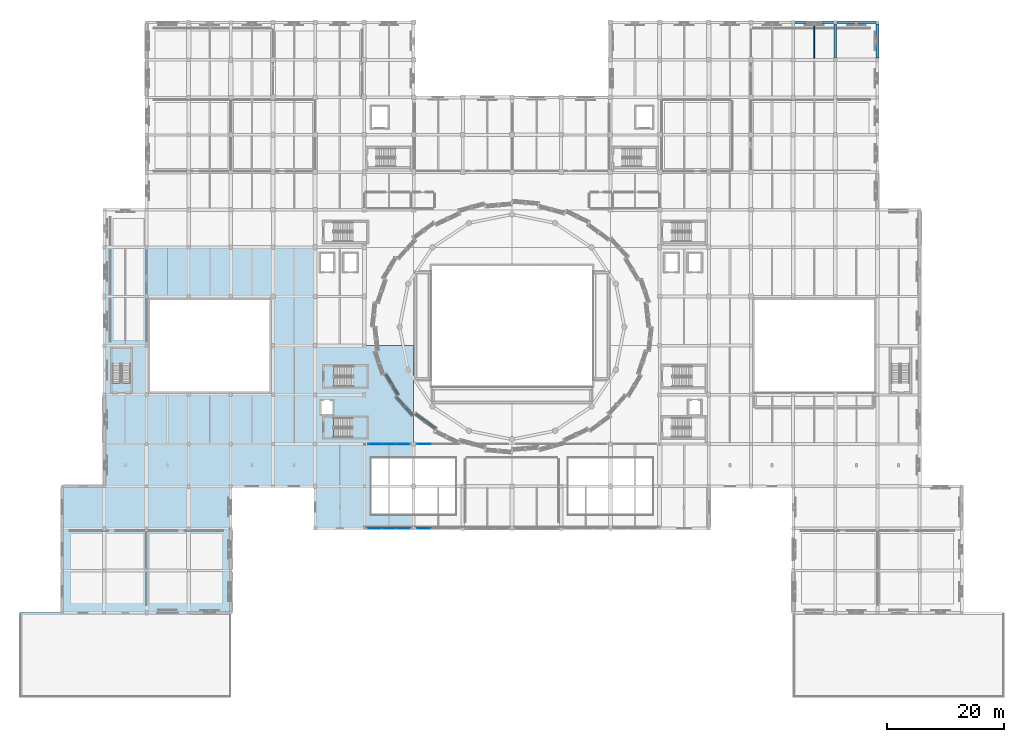
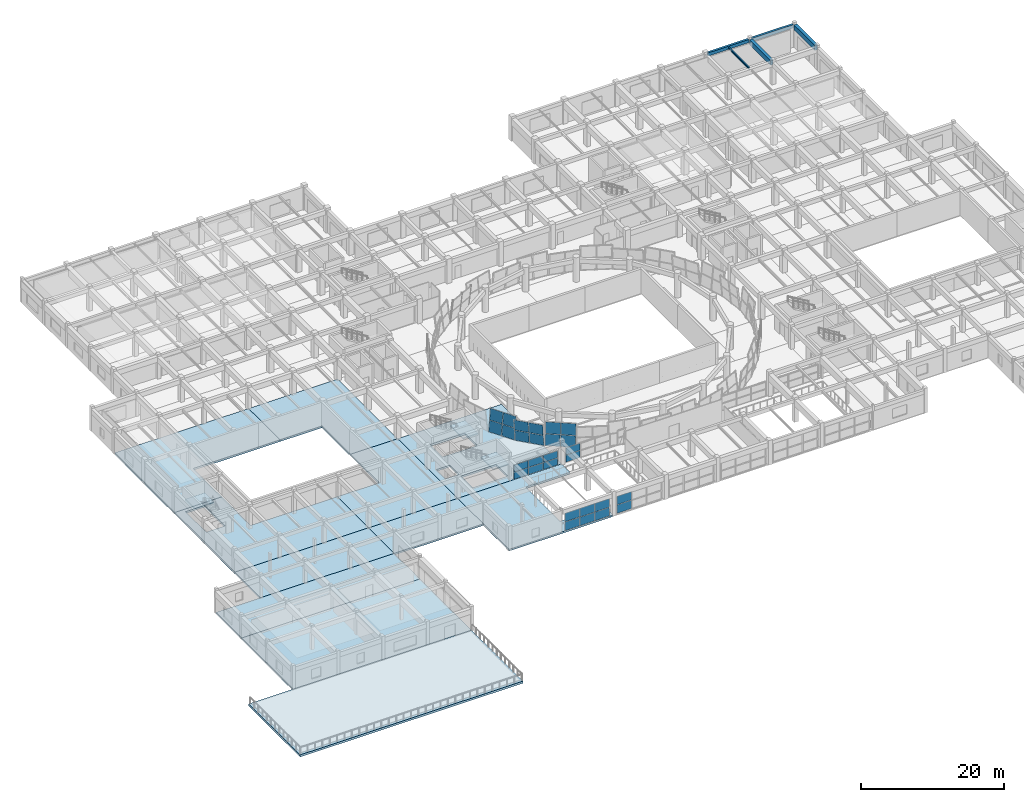
# One storey, part 40 of 71: 28 plates, 14 slabs, 5 beams, 10 elements without a shape of their own.
"""IFC4 building model written with IfcOpenShell, lengths in metres."""

from ifc_helpers import new_model, si_unit, direction, frame, origin, origin_2d, place, context, subcontext, project, spatial, polyline, rectangle, i_section, outline, extrude, material, layer, layer_set, material_profile, profile_set, type_object, element, aggregate, save


model = new_model("IFC4")

# Units and contexts
model_context = context("Model", 3, precision=1e-05, world=origin(), true_north=direction((0.0, 1.0)))
body_context = subcontext(model_context, "Body", "Model", "MODEL_VIEW")
ifc_project = project(units=[si_unit("LENGTHUNIT", "METRE"), si_unit("AREAUNIT", "SQUARE_METRE"), si_unit("VOLUMEUNIT", "CUBIC_METRE"), si_unit("PLANEANGLEUNIT", "RADIAN"), si_unit("MASSUNIT", "GRAM", prefix="KILO")], contexts=[model_context])

# Site, building, storey
site_placement = place(None, origin())
site = spatial("IfcSite", under=ifc_project, at=site_placement, CompositionType="ELEMENT")
building_placement = place(site_placement, origin())
building = spatial("IfcBuilding", under=site, at=building_placement, Name="Korsvaeld Concert Hall", CompositionType="ELEMENT")
storey_placement = place(building_placement, frame((0.0, 0.0, 4.800048828125)))
storey = spatial("IfcBuildingStorey", under=building, at=storey_placement, Name="L01", CompositionType="ELEMENT", Elevation=4.800048828125)

# Beams
ifc_material_1 = material(Name="Concrete C40/50", Category="concrete")
ifc_material_profile_1 = material_profile(ifc_material_1, rectangle(XDim=0.449951171875, YDim=0.85009765625, at=origin_2d()), Name="RC 450x850")
ifc_profile_set_1 = profile_set([ifc_material_profile_1], Name="Concrete C40/50")
beam_type_1 = type_object("IfcBeamType", Name="BM-RC-450x850", PredefinedType="T_BEAM", material=ifc_profile_set_1)
beam_1_placement = place(storey_placement, frame((139.199951171875, 109.10009765625, 3.4150390625), z_axis=(0.0, 1.0, 0.0), x_axis=(-1.0, 0.0, 0.0)))
element("IfcBeam", 1, at=beam_1_placement, inside=storey, type_object=beam_type_1, Name="Primary girder 19/R-S L01", PredefinedType="T_BEAM", context=body_context, shape_type="SweptSolid", body=[
    extrude(rectangle(XDim=0.449951171875, YDim=0.85009765625, at=origin_2d()), origin(), (0.0, 0.0, 1.0), 5.824951171875),
])
ifc_material_profile_2 = material_profile(ifc_material_1, rectangle(XDim=0.5, YDim=0.85009765625, at=origin_2d()), Name="RC 500x850")
ifc_profile_set_2 = profile_set([ifc_material_profile_2], Name="Concrete C40/50")
beam_type_2 = type_object("IfcBeamType", Name="BM-RC-500x850", PredefinedType="T_BEAM", material=ifc_profile_set_2)
beam_2_placement = place(storey_placement, frame((146.39990234375, 109.14990234375, 3.4150390625), z_axis=(0.0, 1.0, 0.0), x_axis=(-1.0, 0.0, 0.0)))
element("IfcBeam", 2, at=beam_2_placement, inside=storey, type_object=beam_type_2, Name="Primary girder 20/R-S L01", PredefinedType="T_BEAM", context=body_context, shape_type="SweptSolid", body=[
    extrude(rectangle(XDim=0.5, YDim=0.85009765625, at=origin_2d()), origin(), (0.0, 0.0, 1.0), 5.800048828125),
])
ifc_material_2 = material(Name="Concrete C35/45", Category="concrete")
ifc_material_profile_3 = material_profile(ifc_material_2, rectangle(XDim=0.35009765625, YDim=0.550048828125, at=origin_2d()), Name="RC 350x550")
ifc_profile_set_3 = profile_set([ifc_material_profile_3], Name="Concrete C35/45")
beam_type_3 = type_object("IfcBeamType", Name="BM-SP-350x550", PredefinedType="SPANDREL", material=ifc_profile_set_3)
beam_3_placement = place(storey_placement, frame((132.324951171875, 115.199951171875, 3.56494140625), z_axis=(1.0, 0.0, 0.0), x_axis=(0.0, 1.0, 0.0)))
element("IfcBeam", 3, at=beam_3_placement, inside=storey, type_object=beam_type_3, Name="Primary girder 18-19/S L01", PredefinedType="SPANDREL", context=body_context, shape_type="SweptSolid", body=[
    extrude(rectangle(XDim=0.35009765625, YDim=0.550048828125, at=origin_2d()), origin(), (0.0, 0.0, 1.0), 6.60009765625),
])
beam_4_placement = place(storey_placement, frame((139.47509765625, 115.199951171875, 3.56494140625), z_axis=(1.0, 0.0, 0.0), x_axis=(0.0, 1.0, 0.0)))
element("IfcBeam", 4, at=beam_4_placement, inside=storey, type_object=beam_type_3, Name="Primary girder 19-20/S L01", PredefinedType="SPANDREL", context=body_context, shape_type="SweptSolid", body=[
    extrude(rectangle(XDim=0.35009765625, YDim=0.550048828125, at=origin_2d()), origin(), (0.0, 0.0, 1.0), 6.6748046875),
])
ifc_material_3 = material(Name="Steel S355J2", Category="steel")
ifc_material_profile_4 = material_profile(ifc_material_3, i_section(OverallWidth=0.169921875, OverallDepth=0.360107421875, WebThickness=0.008056640625, FlangeThickness=0.0126953125, FilletRadius=0.01806640625, at=origin_2d()), Name="IPE 360")
ifc_profile_set_4 = profile_set([ifc_material_profile_4], Name="Steel S355J2")
beam_type_4 = type_object("IfcBeamType", Name="BM-STL-IPE360", PredefinedType="BEAM", material=ifc_profile_set_4)
beam_5_placement = place(storey_placement, frame((135.60009765625, 109.050048828125, 3.659912109375), z_axis=(0.0, 1.0, 0.0), x_axis=(-1.0, 0.0, 0.0)))
element("IfcBeam", 5, at=beam_5_placement, inside=storey, type_object=beam_type_4, Name="Secondary steel floor beam 18-19/R L01", PredefinedType="BEAM", context=body_context, shape_type="SweptSolid", body=[
    extrude(i_section(OverallWidth=0.169921875, OverallDepth=0.360107421875, WebThickness=0.008056640625, FlangeThickness=0.0126953125, FilletRadius=0.01806640625, at=origin_2d()), origin(), (0.0, 0.0, 1.0), 5.974853515625),
])

# Curtain wall, plates
ifc_material_4 = material(Name="Anodised bronze and ceramic-fritted safety glass", Category="glass")
curtain_wall_type_1 = type_object("IfcCurtainWallType", Name="CW-TYPE-11", PredefinedType="USERDEFINED", material=ifc_material_4)
curtain_wall_1_placement = place(storey_placement, origin())
curtain_wall_1 = element("IfcCurtainWall", 6, at=curtain_wall_1_placement, inside=storey, type_object=curtain_wall_type_1, Name="Wintergarden foyer curtain wall L01-11", ObjectType="CURTAIN WALL", PredefinedType="USERDEFINED")
ifc_material_5 = material(Name="Clear acoustic triple safety glazing", Category="glass")
ifc_layer_1 = layer(ifc_material_5, 0.0439453125)
ifc_layer_set_1 = layer_set([ifc_layer_1], Name="Clear acoustic triple safety glazing")
plate_type_1 = type_object("IfcPlateType", Name="CWP-CLEAR-44", PredefinedType="CURTAIN_PANEL", material=ifc_layer_set_1)
plate_1_placement = place(storey_placement, frame((68.981689453125, 28.800048828125, 0.06005859375), z_axis=(0.0, 0.0, 1.0), x_axis=(-1.0, 0.0, 0.0)))
plate_1 = element("IfcPlate", 7, at=plate_1_placement, type_object=plate_type_1, Name="CW-11 panel 3.1", PredefinedType="CURTAIN_PANEL", context=body_context, shape_type="SweptSolid", body=[
    extrude(rectangle(XDim=2.34326171875, YDim=0.0439453125, at=origin_2d()), origin(), (0.0, 0.0, 1.0), 1.429931640625),
])
plate_2_placement = place(storey_placement, frame((68.981689453125, 28.800048828125, 1.5498046875), z_axis=(0.0, 0.0, 1.0), x_axis=(-1.0, 0.0, 0.0)))
plate_2 = element("IfcPlate", 8, at=plate_2_placement, type_object=plate_type_1, Name="CW-11 panel 3.2", PredefinedType="CURTAIN_PANEL", context=body_context, shape_type="SweptSolid", body=[
    extrude(rectangle(XDim=2.34326171875, YDim=0.0439453125, at=origin_2d()), origin(), (0.0, 0.0, 1.0), 1.429931640625),
])
aggregate(curtain_wall_1, [plate_1, plate_2])

curtain_wall_type_2 = type_object("IfcCurtainWallType", Name="CW-TYPE-12", PredefinedType="USERDEFINED", material=ifc_material_4)
curtain_wall_2_placement = place(storey_placement, origin())
curtain_wall_2 = element("IfcCurtainWall", 9, at=curtain_wall_2_placement, inside=storey, type_object=curtain_wall_type_2, Name="Wintergarden foyer curtain wall L01-12", ObjectType="CURTAIN WALL", PredefinedType="USERDEFINED")
plate_3_placement = place(storey_placement, frame((65.418212890625, 28.800048828125, 0.059814453125), z_axis=(0.0, 0.0, 1.0), x_axis=(-1.0, 0.0, 0.0)))
plate_3 = element("IfcPlate", 10, at=plate_3_placement, type_object=plate_type_1, Name="CW-12 panel 1.1", PredefinedType="CURTAIN_PANEL", context=body_context, shape_type="SweptSolid", body=[
    extrude(rectangle(XDim=2.34326171875, YDim=0.0439453125, at=origin_2d()), origin(), (0.0, 0.0, 1.0), 1.455078125),
])
plate_4_placement = place(storey_placement, frame((65.418212890625, 28.800048828125, 1.574951171875), z_axis=(0.0, 0.0, 1.0), x_axis=(-1.0, 0.0, 0.0)))
plate_4 = element("IfcPlate", 11, at=plate_4_placement, type_object=plate_type_1, Name="CW-12 panel 1.2", PredefinedType="CURTAIN_PANEL", context=body_context, shape_type="SweptSolid", body=[
    extrude(rectangle(XDim=2.34326171875, YDim=0.0439453125, at=origin_2d()), origin(), (0.0, 0.0, 1.0), 1.455078125),
])
plate_5_placement = place(storey_placement, frame((63.0, 28.800048828125, 0.059814453125), z_axis=(0.0, 0.0, 1.0), x_axis=(-1.0, 0.0, 0.0)))
plate_5 = element("IfcPlate", 12, at=plate_5_placement, type_object=plate_type_1, Name="CW-12 panel 2.1", PredefinedType="CURTAIN_PANEL", context=body_context, shape_type="SweptSolid", body=[
    extrude(rectangle(XDim=2.373291015625, YDim=0.0439453125, at=origin_2d()), origin(), (0.0, 0.0, 1.0), 1.455078125),
])
plate_6_placement = place(storey_placement, frame((63.0, 28.800048828125, 1.574951171875), z_axis=(0.0, 0.0, 1.0), x_axis=(-1.0, 0.0, 0.0)))
plate_6 = element("IfcPlate", 13, at=plate_6_placement, type_object=plate_type_1, Name="CW-12 panel 2.2", PredefinedType="CURTAIN_PANEL", context=body_context, shape_type="SweptSolid", body=[
    extrude(rectangle(XDim=2.373291015625, YDim=0.0439453125, at=origin_2d()), origin(), (0.0, 0.0, 1.0), 1.455078125),
])
plate_7_placement = place(storey_placement, frame((60.581787109375, 28.800048828125, 0.059814453125), z_axis=(0.0, 0.0, 1.0), x_axis=(-1.0, 0.0, 0.0)))
plate_7 = element("IfcPlate", 14, at=plate_7_placement, type_object=plate_type_1, Name="CW-12 panel 3.1", PredefinedType="CURTAIN_PANEL", context=body_context, shape_type="SweptSolid", body=[
    extrude(rectangle(XDim=2.34326171875, YDim=0.0439453125, at=origin_2d()), origin(), (0.0, 0.0, 1.0), 1.455078125),
])
plate_8_placement = place(storey_placement, frame((60.581787109375, 28.800048828125, 1.574951171875), z_axis=(0.0, 0.0, 1.0), x_axis=(-1.0, 0.0, 0.0)))
plate_8 = element("IfcPlate", 15, at=plate_8_placement, type_object=plate_type_1, Name="CW-12 panel 3.2", PredefinedType="CURTAIN_PANEL", context=body_context, shape_type="SweptSolid", body=[
    extrude(rectangle(XDim=2.34326171875, YDim=0.0439453125, at=origin_2d()), origin(), (0.0, 0.0, 1.0), 1.455078125),
])
aggregate(curtain_wall_2, [plate_3, plate_4, plate_5, plate_6, plate_7, plate_8])

curtain_wall_type_3 = type_object("IfcCurtainWallType", Name="CW-TYPE-09", PredefinedType="USERDEFINED", material=ifc_material_4)
curtain_wall_3_placement = place(storey_placement, origin())
curtain_wall_3 = element("IfcCurtainWall", 16, at=curtain_wall_3_placement, inside=storey, type_object=curtain_wall_type_3, Name="Glazed foyer acoustic screen L01-25", ObjectType="CURTAIN WALL", PredefinedType="USERDEFINED")
plate_9_placement = place(storey_placement, frame((60.614990234375, 43.199951171875, 0.059814453125), z_axis=(0.0, 0.0, 1.0), x_axis=(1.0, 0.0, 0.0)))
plate_9 = element("IfcPlate", 17, at=plate_9_placement, type_object=plate_type_1, Name="CW-09 panel 1.1", PredefinedType="CURTAIN_PANEL", context=body_context, shape_type="SweptSolid", body=[
    extrude(rectangle(XDim=2.31005859375, YDim=0.0439453125, at=origin_2d()), origin(), (0.0, 0.0, 1.0), 1.18505859375),
])
plate_10_placement = place(storey_placement, frame((60.614990234375, 43.199951171875, 1.304931640625), z_axis=(0.0, 0.0, 1.0), x_axis=(1.0, 0.0, 0.0)))
plate_10 = element("IfcPlate", 18, at=plate_10_placement, type_object=plate_type_1, Name="CW-09 panel 1.2", PredefinedType="CURTAIN_PANEL", context=body_context, shape_type="SweptSolid", body=[
    extrude(rectangle(XDim=2.31005859375, YDim=0.0439453125, at=origin_2d()), origin(), (0.0, 0.0, 1.0), 1.18505859375),
])
plate_11_placement = place(storey_placement, frame((63.0, 43.199951171875, 0.059814453125), z_axis=(0.0, 0.0, 1.0), x_axis=(1.0, 0.0, 0.0)))
plate_11 = element("IfcPlate", 19, at=plate_11_placement, type_object=plate_type_1, Name="CW-09 panel 2.1", PredefinedType="CURTAIN_PANEL", context=body_context, shape_type="SweptSolid", body=[
    extrude(rectangle(XDim=2.340087890625, YDim=0.0439453125, at=origin_2d()), origin(), (0.0, 0.0, 1.0), 1.18505859375),
])
plate_12_placement = place(storey_placement, frame((63.0, 43.199951171875, 1.304931640625), z_axis=(0.0, 0.0, 1.0), x_axis=(1.0, 0.0, 0.0)))
plate_12 = element("IfcPlate", 20, at=plate_12_placement, type_object=plate_type_1, Name="CW-09 panel 2.2", PredefinedType="CURTAIN_PANEL", context=body_context, shape_type="SweptSolid", body=[
    extrude(rectangle(XDim=2.340087890625, YDim=0.0439453125, at=origin_2d()), origin(), (0.0, 0.0, 1.0), 1.18505859375),
])
plate_13_placement = place(storey_placement, frame((65.385009765625, 43.199951171875, 0.059814453125), z_axis=(0.0, 0.0, 1.0), x_axis=(1.0, 0.0, 0.0)))
plate_13 = element("IfcPlate", 21, at=plate_13_placement, type_object=plate_type_1, Name="CW-09 panel 3.1", PredefinedType="CURTAIN_PANEL", context=body_context, shape_type="SweptSolid", body=[
    extrude(rectangle(XDim=2.31005859375, YDim=0.0439453125, at=origin_2d()), origin(), (0.0, 0.0, 1.0), 1.18505859375),
])
plate_14_placement = place(storey_placement, frame((65.385009765625, 43.199951171875, 1.304931640625), z_axis=(0.0, 0.0, 1.0), x_axis=(1.0, 0.0, 0.0)))
plate_14 = element("IfcPlate", 22, at=plate_14_placement, type_object=plate_type_1, Name="CW-09 panel 3.2", PredefinedType="CURTAIN_PANEL", context=body_context, shape_type="SweptSolid", body=[
    extrude(rectangle(XDim=2.31005859375, YDim=0.0439453125, at=origin_2d()), origin(), (0.0, 0.0, 1.0), 1.18505859375),
])
aggregate(curtain_wall_3, [plate_9, plate_10, plate_11, plate_12, plate_13, plate_14])

curtain_wall_type_4 = type_object("IfcCurtainWallType", Name="CW-TYPE-10", PredefinedType="USERDEFINED", material=ifc_material_4)
curtain_wall_4_placement = place(storey_placement, origin())
curtain_wall_4 = element("IfcCurtainWall", 23, at=curtain_wall_4_placement, inside=storey, type_object=curtain_wall_type_4, Name="Glazed foyer acoustic screen L01-26", ObjectType="CURTAIN WALL", PredefinedType="USERDEFINED")
plate_15_placement = place(storey_placement, frame((69.014892578125, 43.199951171875, 0.059814453125), z_axis=(0.0, 0.0, 1.0), x_axis=(1.0, 0.0, 0.0)))
plate_15 = element("IfcPlate", 24, at=plate_15_placement, type_object=plate_type_1, Name="CW-10 panel 1.1", PredefinedType="CURTAIN_PANEL", context=body_context, shape_type="SweptSolid", body=[
    extrude(rectangle(XDim=2.31005859375, YDim=0.0439453125, at=origin_2d()), origin(), (0.0, 0.0, 1.0), 1.18505859375),
])
plate_16_placement = place(storey_placement, frame((69.014892578125, 43.199951171875, 1.304931640625), z_axis=(0.0, 0.0, 1.0), x_axis=(1.0, 0.0, 0.0)))
plate_16 = element("IfcPlate", 25, at=plate_16_placement, type_object=plate_type_1, Name="CW-10 panel 1.2", PredefinedType="CURTAIN_PANEL", context=body_context, shape_type="SweptSolid", body=[
    extrude(rectangle(XDim=2.31005859375, YDim=0.0439453125, at=origin_2d()), origin(), (0.0, 0.0, 1.0), 1.18505859375),
])
aggregate(curtain_wall_4, [plate_15, plate_16])

curtain_wall_type_5 = type_object("IfcCurtainWallType", Name="CW-TYPE-03", PredefinedType="USERDEFINED", material=ifc_material_4)
curtain_wall_5_placement = place(storey_placement, origin())
curtain_wall_5 = element("IfcCurtainWall", 26, at=curtain_wall_5_placement, inside=storey, type_object=curtain_wall_type_5, Name="Crystal curtain-wall facet L01 F19", ObjectType="CURTAIN WALL", PredefinedType="USERDEFINED")
ifc_material_6 = material(Name="Translucent ceramic-fritted crystal safety glass", Category="glass")
ifc_layer_2 = layer(ifc_material_6, 0.035888671875)
ifc_layer_set_2 = layer_set([ifc_layer_2], Name="Translucent ceramic-fritted crystal safety glass")
plate_type_2 = type_object("IfcPlateType", Name="CWP-CRYSTAL-36", PredefinedType="CURTAIN_PANEL", material=ifc_layer_set_2)
plate_17_placement = place(storey_placement, frame((62.240966796875, 55.025634765625, 0.06005859375), z_axis=(-0.853892161526, -0.508096158557, 0.112722979661), x_axis=(0.511355642616, -0.859369191182, 3.461232e-06)))
plate_17 = element("IfcPlate", 27, at=plate_17_placement, type_object=plate_type_2, Name="CW-CRYS-L01-F19 ceramic-fritted crystal panel 1.1", PredefinedType="CURTAIN_PANEL", context=body_context, shape_type="SweptSolid", body=[
    extrude(outline(polyline([(0.0, 0.0), (2.019936687795968, 1.3877787807814457e-17), (2.0388127149924404, 1.8617121671868948), (0.018666220265031574, 1.8617262405480326), (0.0, 0.0)])), frame((0.0, 0.0, 0.01806640625)), (0.0, 0.0, -1.0), 0.035888671875),
])
plate_18_placement = place(storey_placement, frame((62.43701171875, 55.119873046875, 1.969970703125), z_axis=(-0.853914504774, -0.508049407558, 0.112764435958), x_axis=(0.511310904745, -0.859395810254, 2.35671e-06)))
plate_18 = element("IfcPlate", 28, at=plate_18_placement, type_object=plate_type_2, Name="CW-CRYS-L01-F19 ceramic-fritted crystal panel 1.2", PredefinedType="CURTAIN_PANEL", context=body_context, shape_type="SweptSolid", body=[
    extrude(outline(polyline([(0.0, 0.0), (2.0201464952873813, -2.7755575615628914e-17), (2.038799744799733, 1.8619689549674794), (0.018987894706443156, 1.861978537093525), (0.0, 0.0)])), frame((0.0, 0.0, 0.01806640625)), (0.0, 0.0, -1.0), 0.035888671875),
])
plate_19_placement = place(storey_placement, frame((63.312255859375, 53.225341796875, 0.06005859375), z_axis=(-0.853892161526, -0.508096158557, 0.112722979661), x_axis=(0.511354967766, -0.859369592742, -3.460872e-06)))
plate_19 = element("IfcPlate", 29, at=plate_19_placement, type_object=plate_type_2, Name="CW-CRYS-L01-F19 ceramic-fritted crystal panel 2.1", PredefinedType="CURTAIN_PANEL", context=body_context, shape_type="SweptSolid", body=[
    extrude(outline(polyline([(0.0, 0.0), (2.0201464947764305, -2.7755575615628914e-17), (2.0387997453154023, 1.861726370541177), (0.018863057568449717, 1.8617122986416608), (0.0, 0.0)])), frame((0.0, 0.0, 0.01806640625)), (0.0, 0.0, -1.0), 0.035888671875),
])
plate_20_placement = place(storey_placement, frame((63.50830078125, 53.3193359375, 1.969970703125), z_axis=(-0.853895606904, -0.508073891, 0.112797224229), x_axis=(0.511337798574, -0.859379808767, 5.820704e-06)))
plate_20 = element("IfcPlate", 30, at=plate_20_placement, type_object=plate_type_2, Name="CW-CRYS-L01-F19 ceramic-fritted crystal panel 2.2", PredefinedType="CURTAIN_PANEL", context=body_context, shape_type="SweptSolid", body=[
    extrude(outline(polyline([(0.0, 0.0), (2.019936686058763, 0.0), (2.038602913623199, 1.8619688224688642), (0.018791065894165827, 1.8619924876787373), (0.0, 0.0)])), frame((0.0, 0.0, 0.01806640625)), (0.0, 0.0, -1.0), 0.035888671875),
])
aggregate(curtain_wall_5, [plate_17, plate_18, plate_19, plate_20])

curtain_wall_type_6 = type_object("IfcCurtainWallType", Name="CW-TYPE-04", PredefinedType="USERDEFINED", material=ifc_material_4)
curtain_wall_6_placement = place(storey_placement, origin())
curtain_wall_6 = element("IfcCurtainWall", 31, at=curtain_wall_6_placement, inside=storey, type_object=curtain_wall_type_6, Name="Crystal curtain-wall facet L01 F20", ObjectType="CURTAIN WALL", PredefinedType="USERDEFINED")
plate_21_placement = place(storey_placement, frame((64.42236328125, 51.362548828125, 0.06005859375), z_axis=(-0.733607855035, -0.670176259909, -0.112620138901), x_axis=(0.674466768396, -0.738305206747, 4.465212e-06)))
plate_21 = element("IfcPlate", 32, at=plate_21_placement, type_object=plate_type_2, Name="CW-CRYS-L01-F20 ceramic-fritted crystal panel 1.1", PredefinedType="CURTAIN_PANEL", context=body_context, shape_type="SweptSolid", body=[
    extrude(outline(polyline([(0.0, 0.0), (2.063350847157613, -1.3877787807814457e-17), (2.041205264816149, 1.8616882470765375), (-0.021965332046848314, 1.8617067908425107), (0.0, 0.0)])), frame((0.0, 0.0, 0.01806640625)), (0.0, 0.0, -1.0), 0.035888671875),
])
plate_22_placement = place(storey_placement, frame((64.247314453125, 51.2333984375, 1.969970703125), z_axis=(-0.733578723806, -0.670203354014, -0.112648658439), x_axis=(0.674496604142, -0.738277949692, 0.0)))
plate_22 = element("IfcPlate", 33, at=plate_22_placement, type_object=plate_type_2, Name="CW-CRYS-L01-F20 ceramic-fritted crystal panel 1.2", PredefinedType="CURTAIN_PANEL", context=body_context, shape_type="SweptSolid", body=[
    extrude(outline(polyline([(0.0, 0.0), (2.0631705985682665, -1.3877787807814457e-17), (2.0411885302853268, 1.8619491815404832), (-0.02198206828293976, 1.8619491815404832), (0.0, 0.0)])), frame((0.0, 0.0, 0.01806640625)), (0.0, 0.0, -1.0), 0.035888671875),
])
plate_23_placement = place(storey_placement, frame((65.864501953125, 49.783935546875, 0.06005859375), z_axis=(-0.733582622808, -0.670211994762, -0.112571833028), x_axis=(0.674498607956, -0.738276118927, 9.34911e-06)))
plate_23 = element("IfcPlate", 34, at=plate_23_placement, type_object=plate_type_2, Name="CW-CRYS-L01-F20 ceramic-fritted crystal panel 2.1", PredefinedType="CURTAIN_PANEL", context=body_context, shape_type="SweptSolid", body=[
    extrude(outline(polyline([(0.0, 0.0), (2.0633508416635977, 0.0), (2.0413699278888426, 1.8616679569746117), (-0.02196534309336571, 1.8617067846230986), (0.0, 0.0)])), frame((0.0, 0.0, 0.01806640625)), (0.0, 0.0, -1.0), 0.035888671875),
])
plate_24_placement = place(storey_placement, frame((65.689453125, 49.65478515625, 1.969970703125), z_axis=(-0.733578723806, -0.670203354014, -0.112648658439), x_axis=(0.674496604142, -0.738277949692, 0.0)))
plate_24 = element("IfcPlate", 35, at=plate_24_placement, type_object=plate_type_2, Name="CW-CRYS-L01-F20 ceramic-fritted crystal panel 2.2", PredefinedType="CURTAIN_PANEL", context=body_context, shape_type="SweptSolid", body=[
    extrude(outline(polyline([(0.0, 0.0), (2.0631705985682665, -1.3877787807814457e-17), (2.0411885302853268, 1.8619491815404832), (-0.02198206828293976, 1.8619491815404832), (0.0, 0.0)])), frame((0.0, 0.0, 0.01806640625)), (0.0, 0.0, -1.0), 0.035888671875),
])
aggregate(curtain_wall_6, [plate_21, plate_22, plate_23, plate_24])

curtain_wall_type_7 = type_object("IfcCurtainWallType", Name="CW-TYPE-05", PredefinedType="USERDEFINED", material=ifc_material_4)
curtain_wall_7_placement = place(storey_placement, origin())
curtain_wall_7 = element("IfcCurtainWall", 36, at=curtain_wall_7_placement, inside=storey, type_object=curtain_wall_type_7, Name="Crystal curtain-wall facet L01 F21", ObjectType="CURTAIN WALL", PredefinedType="USERDEFINED")
plate_25_placement = place(storey_placement, frame((67.377197265625, 48.169921875, 0.06005859375), z_axis=(-0.589605264342, -0.799808857901, 0.112567415727), x_axis=(0.804925146534, -0.593376363248, 3.841278e-06)))
plate_25 = element("IfcPlate", 37, at=plate_25_placement, type_object=plate_type_2, Name="CW-CRYS-L01-F21 ceramic-fritted crystal panel 1.1", PredefinedType="CURTAIN_PANEL", context=body_context, shape_type="SweptSolid", body=[
    extrude(outline(polyline([(0.0, 0.0), (2.1091544694851514, 0.0), (2.131252808658937, 1.861677987273455), (0.02229485410213879, 1.8616942938582879), (0.0, 0.0)])), frame((0.0, 0.0, 0.01806640625)), (0.0, 0.0, -1.0), 0.035888671875),
])
plate_26_placement = place(storey_placement, frame((67.524169921875, 48.33056640625, 1.969970703125), z_axis=(-0.589636274188, -0.79979340898, 0.112514741765), x_axis=(0.804904507896, -0.593404358906, 0.0)))
plate_26 = element("IfcPlate", 38, at=plate_26_placement, type_object=plate_type_2, Name="CW-CRYS-L01-F21 ceramic-fritted crystal panel 1.2", PredefinedType="CURTAIN_PANEL", context=body_context, shape_type="SweptSolid", body=[
    extrude(outline(polyline([(0.0, 0.0), (2.1089579558479716, 1.3877787807814457e-17), (2.13104190286267, 1.86192074958865), (0.022083947014698666, 1.86192074958865), (0.0, 0.0)])), frame((0.0, 0.0, 0.01806640625)), (0.0, 0.0, -1.0), 0.035888671875),
])
plate_27_placement = place(storey_placement, frame((69.13525390625, 46.873779296875, 0.06005859375), z_axis=(-0.58962828208, -0.799782568338, 0.112633620004), x_axis=(0.804904507896, -0.593404358906, 0.0)))
plate_27 = element("IfcPlate", 39, at=plate_27_placement, type_object=plate_type_2, Name="CW-CRYS-L01-F21 ceramic-fritted crystal panel 2.1", PredefinedType="CURTAIN_PANEL", context=body_context, shape_type="SweptSolid", body=[
    extrude(outline(polyline([(0.0, 0.0), (2.1089579558479716, 1.3877787807814457e-17), (2.130897028751609, 1.8617002828262006), (0.0219390729036376, 1.8617002828262006), (0.0, 0.0)])), frame((0.0, 0.0, 0.01806640625)), (0.0, 0.0, -1.0), 0.035888671875),
])
plate_28_placement = place(storey_placement, frame((69.281982421875, 47.034423828125, 1.969970703125), z_axis=(-0.589629269114, -0.799783907169, 0.112618945289), x_axis=(0.804904507896, -0.593404358906, 0.0)))
plate_28 = element("IfcPlate", 40, at=plate_28_placement, type_object=plate_type_2, Name="CW-CRYS-L01-F21 ceramic-fritted crystal panel 2.2", PredefinedType="CURTAIN_PANEL", context=body_context, shape_type="SweptSolid", body=[
    extrude(outline(polyline([(0.0, 0.0), (2.1089579558479716, 1.3877787807814457e-17), (2.130897028751609, 1.8619428700867073), (0.0219390729036376, 1.8619428700867073), (0.0, 0.0)])), frame((0.0, 0.0, 0.01806640625)), (0.0, 0.0, -1.0), 0.035888671875),
])
aggregate(curtain_wall_7, [plate_25, plate_26, plate_27, plate_28])

# Slabs
ifc_layer_3 = layer(ifc_material_2, 0.280029296875)
ifc_layer_set_3 = layer_set([ifc_layer_3], Name="Concrete C35/45")
slab_type_1 = type_object("IfcSlabType", Name="SLB-FOY-280", PredefinedType="FLOOR", material=ifc_layer_set_3)
slab_1_placement = place(storey_placement, frame((0.0, 0.0, -0.280029296875)))
element("IfcSlab", 41, at=slab_1_placement, inside=storey, type_object=slab_type_1, Name="Structural slab L01 V4_SW_L01 1.1", PredefinedType="FLOOR", context=body_context, shape_type="SweptSolid", body=[
    extrude(outline(polyline([(7.199951171875, 14.39990234375), (7.199951171875, 28.800048828125), (36.0, 28.800048828125), (36.0, 14.39990234375), (7.199951171875, 14.39990234375)])), origin(), (0.0, 0.0, 1.0), 0.280029296875),
])
slab_2_placement = place(storey_placement, frame((0.0, 0.0, -0.280029296875)))
element("IfcSlab", 42, at=slab_2_placement, inside=storey, type_object=slab_type_1, Name="Structural slab L01 V4_SW_L01 1.2", PredefinedType="FLOOR", context=body_context, shape_type="SweptSolid", body=[
    extrude(outline(polyline([(7.199951171875, 28.800048828125), (7.199951171875, 36.0), (36.0, 36.0), (36.0, 28.800048828125), (7.199951171875, 28.800048828125)])), origin(), (0.0, 0.0, 1.0), 0.280029296875),
])
slab_3_placement = place(storey_placement, frame((0.0, 0.0, -0.280029296875)))
element("IfcSlab", 43, at=slab_3_placement, inside=storey, type_object=slab_type_1, Name="Structural slab L01 V4_PASS_W1 1.1", PredefinedType="FLOOR", context=body_context, shape_type="SweptSolid", body=[
    extrude(outline(polyline([(14.39990234375, 36.0), (14.39990234375, 43.199951171875), (36.0, 43.199951171875), (36.0, 36.0), (14.39990234375, 36.0)])), origin(), (0.0, 0.0, 1.0), 0.280029296875),
])
slab_4_placement = place(storey_placement, frame((0.0, 0.0, -0.280029296875)))
element("IfcSlab", 44, at=slab_4_placement, inside=storey, type_object=slab_type_1, Name="Structural slab L01 V4_PASS_W1 2.1", PredefinedType="FLOOR", context=body_context, shape_type="SweptSolid", body=[
    extrude(outline(polyline([(36.0, 36.0), (36.0, 43.199951171875), (50.39990234375, 43.199951171875), (50.39990234375, 36.0), (36.0, 36.0)])), origin(), (0.0, 0.0, 1.0), 0.280029296875),
])
slab_5_placement = place(storey_placement, frame((0.0, 0.0, -0.280029296875)))
element("IfcSlab", 45, at=slab_5_placement, inside=storey, type_object=slab_type_1, Name="Structural slab L01 V4_PASS_C1 1.1", PredefinedType="FLOOR", context=body_context, shape_type="SweptSolid", body=[
    extrude(outline(polyline([(67.199951171875, 28.800048828125), (50.39990234375, 28.800048828125), (50.39990234375, 43.199951171875), (67.199951171875, 43.199951171875), (67.199951171875, 40.800048828125), (60.0, 40.800048828125), (60.0, 31.199951171875), (67.199951171875, 31.199951171875), (67.199951171875, 28.800048828125)])), origin(), (0.0, 0.0, 1.0), 0.280029296875),
])
ifc_layer_4 = layer(ifc_material_2, 0.320068359375)
ifc_layer_set_4 = layer_set([ifc_layer_4], Name="Concrete C35/45")
slab_type_2 = type_object("IfcSlabType", Name="SLB-HALL-320", PredefinedType="FLOOR", material=ifc_layer_set_4)
slab_6_placement = place(storey_placement, frame((0.0, 0.0, -0.320068359375)))
element("IfcSlab", 46, at=slab_6_placement, inside=storey, type_object=slab_type_2, Name="Structural slab L01 V3_L01 1.1", PredefinedType="FLOOR", context=body_context, shape_type="SweptSolid", body=[
    extrude(outline(polyline([(36.0, 43.199951171875), (14.39990234375, 43.199951171875), (14.39990234375, 60.0), (22.0, 60.0), (22.0, 52.0), (36.0, 52.0), (36.0, 43.199951171875)]), holes=[polyline([(18.844970703125, 53.64501953125), (18.844970703125, 59.405029296875), (15.794921875, 59.405029296875), (15.794921875, 53.64501953125), (18.844970703125, 53.64501953125)])]), origin(), (0.0, 0.0, 1.0), 0.320068359375),
])
slab_7_placement = place(storey_placement, frame((0.0, 0.0, -0.320068359375)))
element("IfcSlab", 47, at=slab_7_placement, inside=storey, type_object=slab_type_2, Name="Structural slab L01 V3_L01 1.2", PredefinedType="FLOOR", context=body_context, shape_type="SweptSolid", body=[
    extrude(outline(polyline([(14.39990234375, 60.0), (14.39990234375, 76.800048828125), (36.0, 76.800048828125), (36.0, 68.0), (22.0, 68.0), (22.0, 60.0), (14.39990234375, 60.0)])), origin(), (0.0, 0.0, 1.0), 0.320068359375),
])
slab_8_placement = place(storey_placement, frame((0.0, 0.0, -0.320068359375)))
element("IfcSlab", 48, at=slab_8_placement, inside=storey, type_object=slab_type_2, Name="Structural slab L01 V3_L01 2.1", PredefinedType="FLOOR", context=body_context, shape_type="SweptSolid", body=[
    extrude(outline(polyline([(50.39990234375, 60.0), (50.39990234375, 43.199951171875), (36.0, 43.199951171875), (36.0, 52.0), (42.800048828125, 52.0), (42.800048828125, 60.0), (50.39990234375, 60.0)])), origin(), (0.0, 0.0, 1.0), 0.320068359375),
])
slab_9_placement = place(storey_placement, frame((0.0, 0.0, -0.320068359375)))
element("IfcSlab", 49, at=slab_9_placement, inside=storey, type_object=slab_type_2, Name="Structural slab L01 V3_L01 2.2", PredefinedType="FLOOR", context=body_context, shape_type="SweptSolid", body=[
    extrude(outline(polyline([(36.0, 76.800048828125), (50.39990234375, 76.800048828125), (50.39990234375, 60.0), (42.800048828125, 60.0), (42.800048828125, 68.0), (36.0, 68.0), (36.0, 76.800048828125)])), origin(), (0.0, 0.0, 1.0), 0.320068359375),
])
slab_10_placement = place(storey_placement, frame((0.0, 0.0, -0.320068359375)))
element("IfcSlab", 50, at=slab_10_placement, inside=storey, type_object=slab_type_2, Name="Structural slab L01 V1_L01 1.1", PredefinedType="FLOOR", context=body_context, shape_type="SweptSolid", body=[
    extrude(outline(polyline([(50.39990234375, 43.199951171875), (50.39990234375, 60.0), (67.199951171875, 60.0), (67.199951171875, 43.199951171875), (50.39990234375, 43.199951171875)]), holes=[polyline([(59.205078125, 44.39501953125), (59.205078125, 47.64501953125), (53.544921875, 47.64501953125), (53.544921875, 44.39501953125), (59.205078125, 44.39501953125)]), polyline([(53.5, 50.75), (51.300048828125, 50.75), (51.300048828125, 48.14990234375), (53.5, 48.14990234375), (53.5, 50.75)]), polyline([(53.64501953125, 52.9951171875), (59.205078125, 52.9951171875), (59.205078125, 56.445068359375), (53.64501953125, 56.445068359375), (53.64501953125, 52.9951171875)])]), origin(), (0.0, 0.0, 1.0), 0.320068359375),
])

# Stair, slab
ifc_material_7 = material(Name="Precast concrete C40/50", Category="concrete")
stair_type_1 = type_object("IfcStairType", Name="STR-HT-155-42", PredefinedType="HALF_TURN_STAIR", material=ifc_material_7)
stair_1_placement = place(storey_placement, origin())
stair_1 = element("IfcStair", 51, at=stair_1_placement, inside=storey, type_object=stair_type_1, Name="L01 ST-K3", PredefinedType="HALF_TURN_STAIR")
ifc_layer_5 = layer(ifc_material_7, 0.179931640625)
ifc_layer_set_5 = layer_set([ifc_layer_5], Name="Precast concrete C40/50")
slab_type_3 = type_object("IfcSlabType", Name="SLB-LANDING-180", PredefinedType="LANDING", material=ifc_layer_set_5)
slab_11_placement = place(storey_placement, frame((0.0, 0.0, 1.919921875)))
slab_11 = element("IfcSlab", 52, at=slab_11_placement, type_object=slab_type_3, Name="ST-K3 landing 1", PredefinedType="LANDING", context=body_context, shape_type="SweptSolid", body=[
    extrude(outline(polyline([(56.760009765625, 44.31005859375), (56.760009765625, 47.72998046875), (59.2900390625, 47.72998046875), (59.2900390625, 44.31005859375), (56.760009765625, 44.31005859375)])), origin(), (0.0, 0.0, 1.0), 0.179931640625),
])
aggregate(stair_1, [slab_11])

stair_type_2 = type_object("IfcStairType", Name="STR-HT-165-42", PredefinedType="HALF_TURN_STAIR", material=ifc_material_7)
stair_2_placement = place(storey_placement, origin())
stair_2 = element("IfcStair", 53, at=stair_2_placement, inside=storey, type_object=stair_type_2, Name="L01 ST-F1", PredefinedType="HALF_TURN_STAIR")
slab_12_placement = place(storey_placement, frame((0.0, 0.0, 1.919921875)))
slab_12 = element("IfcSlab", 54, at=slab_12_placement, type_object=slab_type_3, Name="ST-F1 landing 1", PredefinedType="LANDING", context=body_context, shape_type="SweptSolid", body=[
    extrude(outline(polyline([(56.860107421875, 52.909912109375), (56.860107421875, 56.530029296875), (59.2900390625, 56.530029296875), (59.2900390625, 52.909912109375), (56.860107421875, 52.909912109375)])), origin(), (0.0, 0.0, 1.0), 0.179931640625),
])
aggregate(stair_2, [slab_12])

stair_type_3 = type_object("IfcStairType", Name="STR-HT-145-42", PredefinedType="HALF_TURN_STAIR", material=ifc_material_7)
stair_3_placement = place(storey_placement, origin())
stair_3 = element("IfcStair", 55, at=stair_3_placement, inside=storey, type_object=stair_type_3, Name="L01 ST-F3", PredefinedType="HALF_TURN_STAIR")
slab_13_placement = place(storey_placement, frame((0.0, 0.0, 1.919921875)))
slab_13 = element("IfcSlab", 56, at=slab_13_placement, type_object=slab_type_3, Name="ST-F3 landing 1", PredefinedType="LANDING", context=body_context, shape_type="SweptSolid", body=[
    extrude(outline(polyline([(18.929931640625, 56.860107421875), (15.7099609375, 56.860107421875), (15.7099609375, 59.489990234375), (18.929931640625, 59.489990234375), (18.929931640625, 56.860107421875)])), origin(), (0.0, 0.0, 1.0), 0.179931640625),
])
aggregate(stair_3, [slab_13])

# Slab
ifc_layer_6 = layer(ifc_material_2, 0.360107421875)
ifc_layer_set_6 = layer_set([ifc_layer_6], Name="Concrete C35/45")
slab_type_4 = type_object("IfcSlabType", Name="SLB-TERR-360", PredefinedType="ROOF", material=ifc_layer_set_6)
slab_14_placement = place(storey_placement, frame((0.0, 0.0, -0.360107421875)))
element("IfcSlab", 57, at=slab_14_placement, inside=storey, type_object=slab_type_4, Name="South-West Mughal Roof Garden", PredefinedType="ROOF", context=body_context, shape_type="SweptSolid", body=[
    extrude(outline(polyline([(36.0, 0.0), (36.0, 14.39990234375), (0.0, 14.39990234375), (0.0, 0.0), (36.0, 0.0)])), origin(), (0.0, 0.0, 1.0), 0.360107421875),
])

save(model, "model.ifc")
